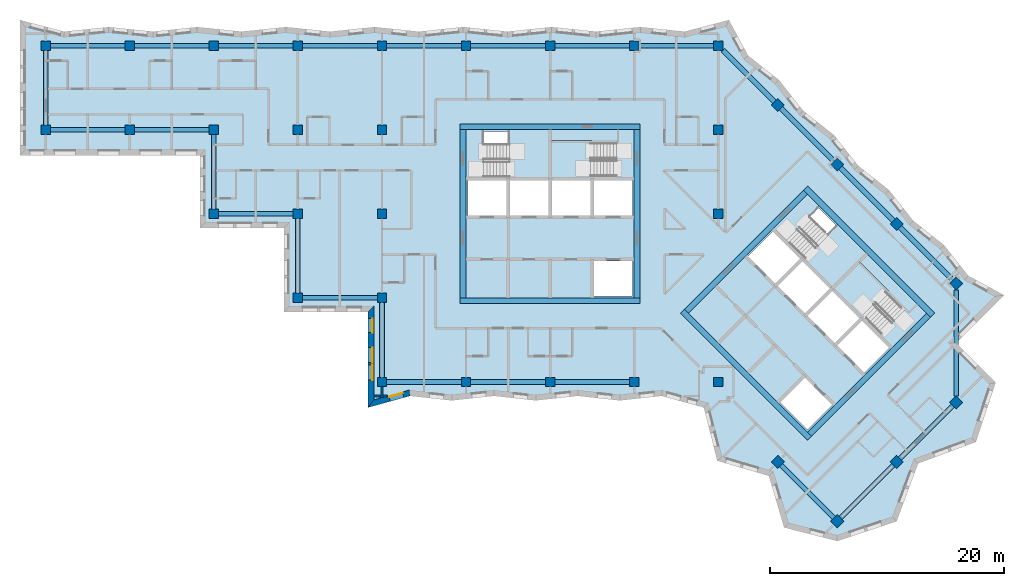
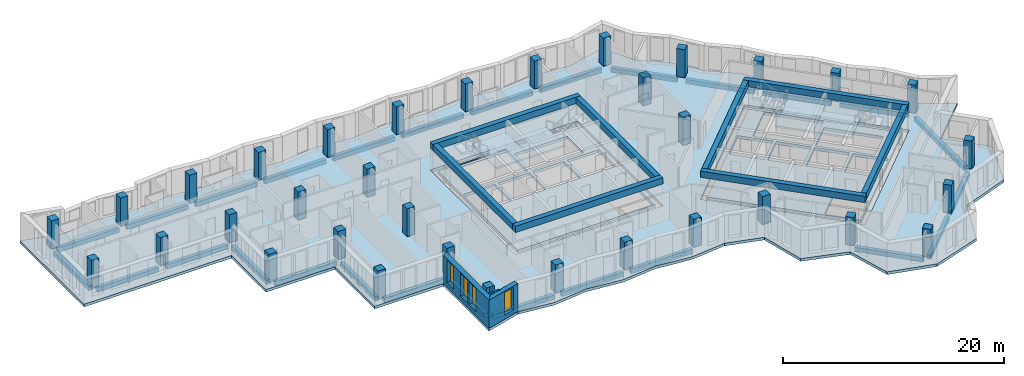
# One storey, part 1 of 12: 35 beams, 34 columns, 7 slabs, 4 walls, 4 windows, 20 openings, 4 elements without a shape of their own.
"""IFC4 building model written with IfcOpenShell, lengths in metres."""

from ifc_helpers import new_model, si_unit, direction, frame, frame_2d, origin, origin_2d, place, context, subcontext, project, spatial, polyline, rectangle, outline, extrude, material, layer, layer_set, material_profile, profile_set, type_object, element, fill, aggregate, save


model = new_model("IFC4")

# Units and contexts
model_context = context("Model", 3, precision=1e-05, world=origin(), true_north=direction((0.0, 1.0)))
body_context = subcontext(model_context, "Body", "Model", "MODEL_VIEW")
ifc_project = project(units=[si_unit("LENGTHUNIT", "METRE"), si_unit("AREAUNIT", "SQUARE_METRE"), si_unit("VOLUMEUNIT", "CUBIC_METRE"), si_unit("PLANEANGLEUNIT", "RADIAN"), si_unit("MASSUNIT", "GRAM", prefix="KILO")], contexts=[model_context])

# Site, building, storey
site_placement = place(None, origin())
site = spatial("IfcSite", under=ifc_project, at=site_placement, CompositionType="ELEMENT")
building_placement = place(site_placement, origin())
building = spatial("IfcBuilding", under=site, at=building_placement, Name="Windrow Commons", CompositionType="ELEMENT")
storey_placement = place(building_placement, frame((0.0, 0.0, 199.8)))
storey = spatial("IfcBuildingStorey", under=building, at=storey_placement, Name="L54", CompositionType="ELEMENT", Elevation=199.8)

# Columns
ifc_material_1 = material(Name="Concrete C50/60", Category="concrete")
ifc_material_profile_1 = material_profile(ifc_material_1, rectangle(XDim=0.8, YDim=0.8, at=origin_2d()))
ifc_profile_set_1 = profile_set([ifc_material_profile_1], Name="Concrete C50/60")
column_type = type_object("IfcColumnType", Name="RC COLUMN 800x800 C50/60", PredefinedType="COLUMN", material=ifc_profile_set_1)
for number, where, z_axis, x_axis, name in (
    (1, (21.6, 64.8, 0.0), (0.0, 0.0, 1.0), (1.0, 0.0, 0.0), "C-Z4-04I"),
    (2, (21.6, 72.0, 0.0), (0.0, 0.0, 1.0), (1.0, 0.0, 0.0), "C-Z4-04J"),
    (3, (28.8, 64.8, 0.0), (0.0, 0.0, 1.0), (1.0, 0.0, 0.0), "C-Z4-05I"),
    (4, (28.8, 72.0, 0.0), (0.0, 0.0, 1.0), (1.0, 0.0, 0.0), "C-Z4-05J"),
    (5, (36.0, 57.6, 0.0), (0.0, 0.0, 1.0), (1.0, 0.0, 0.0), "C-Z4-06H"),
    (6, (36.0, 64.8, 0.0), (0.0, 0.0, 1.0), (1.0, 0.0, 0.0), "C-Z4-06I"),
    (7, (36.0, 72.0, 0.0), (0.0, 0.0, 1.0), (1.0, 0.0, 0.0), "C-Z4-06J"),
    (8, (43.2, 50.4, 0.0), (0.0, 0.0, 1.0), (1.0, 0.0, 0.0), "C-Z4-07G"),
    (9, (43.2, 57.6, 0.0), (0.0, 0.0, 1.0), (1.0, 0.0, 0.0), "C-Z4-07H"),
    (10, (43.2, 64.8, 0.0), (0.0, 0.0, 1.0), (1.0, 0.0, 0.0), "C-Z4-07I"),
    (11, (43.2, 72.0, 0.0), (0.0, 0.0, 1.0), (1.0, 0.0, 0.0), "C-Z4-07J"),
    (12, (50.4, 43.2, 0.0), (0.0, 0.0, 1.0), (1.0, 0.0, 0.0), "C-Z4-08F"),
    (13, (50.4, 50.4, 0.0), (0.0, 0.0, 1.0), (1.0, 0.0, 0.0), "C-Z4-08G"),
    (14, (50.4, 57.6, 0.0), (0.0, 0.0, 1.0), (1.0, 0.0, 0.0), "C-Z4-08H"),
    (15, (50.4, 64.8, 0.0), (0.0, 0.0, 1.0), (1.0, 0.0, 0.0), "C-Z4-08I"),
    (16, (50.4, 72.0, 0.0), (0.0, 0.0, 1.0), (1.0, 0.0, 0.0), "C-Z4-08J"),
    (17, (57.6, 43.2, 0.0), (0.0, 0.0, 1.0), (1.0, 0.0, 0.0), "C-Z4-09F"),
    (18, (57.6, 72.0, 0.0), (0.0, 0.0, 1.0), (1.0, 0.0, 0.0), "C-Z4-09J"),
    (19, (64.8, 43.2, 0.0), (0.0, 0.0, 1.0), (1.0, 0.0, 0.0), "C-Z4-10F"),
    (20, (64.8, 72.0, 0.0), (0.0, 0.0, 1.0), (1.0, 0.0, 0.0), "C-Z4-10J"),
    (21, (72.0, 43.2, 0.0), (0.0, 0.0, 1.0), (1.0, 0.0, 0.0), "C-Z4-11F"),
    (22, (72.0, 72.0, 0.0), (0.0, 0.0, 1.0), (1.0, 0.0, 0.0), "C-Z4-11J"),
    (23, (79.2, 43.2, 0.0), (0.0, 0.0, 1.0), (1.0, 0.0, 0.0), "C-Z4-12F"),
    (24, (79.2, 57.6, 0.0), (0.0, 0.0, 1.0), (1.0, 0.0, 0.0), "C-Z4-12H"),
    (25, (79.2, 64.8, 0.0), (0.0, 0.0, 1.0), (1.0, 0.0, 0.0), "C-Z4-12I"),
    (26, (79.2, 72.0, 0.0), (0.0, 0.0, 1.0), (1.0, 0.0, 0.0), "C-Z4-12J"),
    (27, (84.2912, 66.9088, 0.0), (0.0, 0.0, 1.0), (0.7071067812, -0.7071067812, 0.0), "C-Z4-P2Q"),
    (28, (89.3823, 61.8177, 0.0), (0.0, 0.0, 1.0), (0.7071067812, -0.7071067812, 0.0), "C-Z4-P3Q"),
    (29, (94.4735, 56.7265, 0.0), (0.0, 0.0, 1.0), (0.7071067812, -0.7071067812, 0.0), "C-Z4-P4Q"),
    (30, (99.5647, 51.6353, 0.0), (0.0, 0.0, 1.0), (0.7071067812, -0.7071067812, 0.0), "C-Z4-P5Q"),
    (31, (84.2912, 36.3618, 0.0), (0.0, 0.0, 1.0), (0.7071067812, -0.7071067812, 0.0), "C-Z4-P5T"),
    (32, (99.5647, 41.453, 0.0), (0.0, 0.0, 1.0), (0.7071067812, -0.7071067812, 0.0), "C-Z4-P6R"),
    (33, (94.4735, 36.3618, 0.0), (0.0, 0.0, 1.0), (0.7071067812, -0.7071067812, 0.0), "C-Z4-P6S"),
    (34, (89.3823, 31.2706, 0.0), (0.0, 0.0, 1.0), (0.7071067812, -0.7071067812, 0.0), "C-Z4-P6T"),
):
    element("IfcColumn", number, at=place(storey_placement, frame(where, z_axis=z_axis, x_axis=x_axis)), inside=storey, type_object=column_type, Name=name, PredefinedType="COLUMN", context=body_context, shape_type="SweptSolid", body=[
        extrude(rectangle(XDim=0.8, YDim=0.8, at=origin_2d()), origin(), (0.0, 0.0, 1.0), 3.1),
    ])

# Beams
ifc_material_2 = material(Name="Concrete C40/50", Category="concrete")
ifc_material_profile_2 = material_profile(ifc_material_2, rectangle(XDim=0.5, YDim=0.7, at=origin_2d()))
ifc_profile_set_2 = profile_set([ifc_material_profile_2], Name="Concrete C40/50")
beam_type_1 = type_object("IfcBeamType", Name="RC COUPLING BEAM 500x700 C40/50", PredefinedType="LINTEL", material=ifc_profile_set_2)
for number, where, z_axis, x_axis, name in (
    (35, (57.1, 50.15, 2.75), (1.0, 0.0, 0.0), (0.0, 1.0, 0.0), "Core A coupling beam outer-S"),
    (36, (57.1, 65.05, 2.75), (1.0, 0.0, 0.0), (0.0, 1.0, 0.0), "Core A coupling beam outer-N"),
):
    element("IfcBeam", number, at=place(storey_placement, frame(where, z_axis=z_axis, x_axis=x_axis)), inside=storey, type_object=beam_type_1, Name=name, PredefinedType="LINTEL", context=body_context, shape_type="SweptSolid", body=[
        extrude(rectangle(XDim=0.5, YDim=0.7, at=origin_2d()), origin(), (0.0, 0.0, 1.0), 15.4),
    ])
for number, where, z_axis, x_axis, name in (
    (37, (57.35, 50.4, 2.75), (0.0, 1.0, 0.0), (-1.0, 0.0, 0.0), "Core A coupling beam outer-W"),
    (38, (72.25, 50.4, 2.75), (0.0, 1.0, 0.0), (-1.0, 0.0, 0.0), "Core A coupling beam outer-E"),
):
    element("IfcBeam", number, at=place(storey_placement, frame(where, z_axis=z_axis, x_axis=x_axis)), inside=storey, type_object=beam_type_1, Name=name, PredefinedType="LINTEL", context=body_context, shape_type="SweptSolid", body=[
        extrude(rectangle(XDim=0.5, YDim=0.7, at=origin_2d()), origin(), (0.0, 0.0, 1.0), 14.4),
    ])
for number, where, z_axis, x_axis, name in (
    (39, (76.1241, 49.2665, 2.75), (0.7071067812, -0.7071067812, 0.0), (0.7071067812, 0.7071067812, 0.0), "Core B coupling beam outer-S"),
    (40, (86.66, 59.8024, 2.75), (0.7071067812, -0.7071067812, 0.0), (0.7071067812, 0.7071067812, 0.0), "Core B coupling beam outer-N"),
):
    element("IfcBeam", number, at=place(storey_placement, frame(where, z_axis=z_axis, x_axis=x_axis)), inside=storey, type_object=beam_type_1, Name=name, PredefinedType="LINTEL", context=body_context, shape_type="SweptSolid", body=[
        extrude(rectangle(XDim=0.5, YDim=0.7, at=origin_2d()), origin(), (0.0, 0.0, 1.0), 15.3999),
    ])
for number, where, z_axis, x_axis, name in (
    (41, (76.4776, 49.2665, 2.75), (0.7071067812, 0.7071067812, 0.0), (-0.7071067812, 0.7071067812, 0.0), "Core B coupling beam outer-W"),
    (42, (87.0135, 38.7306, 2.75), (0.7071067812, 0.7071067812, 0.0), (-0.7071067812, 0.7071067812, 0.0), "Core B coupling beam outer-E"),
):
    element("IfcBeam", number, at=place(storey_placement, frame(where, z_axis=z_axis, x_axis=x_axis)), inside=storey, type_object=beam_type_1, Name=name, PredefinedType="LINTEL", context=body_context, shape_type="SweptSolid", body=[
        extrude(rectangle(XDim=0.5, YDim=0.7, at=origin_2d()), origin(), (0.0, 0.0, 1.0), 14.4001),
    ])
ifc_material_3 = material(Name="Concrete C40/50", Category="concrete")
ifc_material_profile_3 = material_profile(ifc_material_3, rectangle(XDim=0.4, YDim=0.5, at=origin_2d()))
ifc_profile_set_3 = profile_set([ifc_material_profile_3], Name="Concrete C40/50")
beam_type_2 = type_object("IfcBeamType", Name="RC EDGE BEAM 400x500 C40/50", PredefinedType="SPANDREL", material=ifc_profile_set_3)
for number, where, z_axis, x_axis, name in (
    (43, (57.2, 43.2, -0.55), (-1.0, 0.0, 0.0), (0.0, -1.0, 0.0), "Edge beam L54 001"),
    (44, (50.4, 43.6, -0.55), (0.0, 1.0, 0.0), (-1.0, 0.0, 0.0), "Edge beam L54 002"),
    (45, (50.0, 50.4, -0.55), (-1.0, 0.0, 0.0), (0.0, -1.0, 0.0), "Edge beam L54 003"),
    (46, (43.2, 50.8, -0.55), (0.0, 1.0, 0.0), (-1.0, 0.0, 0.0), "Edge beam L54 004"),
    (47, (42.8, 57.6, -0.55), (-1.0, 0.0, 0.0), (0.0, -1.0, 0.0), "Edge beam L54 005"),
    (48, (36.0, 58.0, -0.55), (0.0, 1.0, 0.0), (-1.0, 0.0, 0.0), "Edge beam L54 006"),
    (49, (35.6, 64.8, -0.55), (-1.0, 0.0, 0.0), (0.0, -1.0, 0.0), "Edge beam L54 007"),
    (50, (28.4, 64.8, -0.55), (-1.0, 0.0, 0.0), (0.0, -1.0, 0.0), "Edge beam L54 008"),
    (51, (21.6, 65.2, -0.55), (0.0, 1.0, 0.0), (-1.0, 0.0, 0.0), "Edge beam L54 009"),
    (52, (22.0, 72.0, -0.55), (1.0, 0.0, 0.0), (0.0, 1.0, 0.0), "Edge beam L54 010"),
    (53, (29.2, 72.0, -0.55), (1.0, 0.0, 0.0), (0.0, 1.0, 0.0), "Edge beam L54 011"),
    (54, (36.4, 72.0, -0.55), (1.0, 0.0, 0.0), (0.0, 1.0, 0.0), "Edge beam L54 012"),
    (55, (43.6, 72.0, -0.55), (1.0, 0.0, 0.0), (0.0, 1.0, 0.0), "Edge beam L54 013"),
    (56, (50.8, 72.0, -0.55), (1.0, 0.0, 0.0), (0.0, 1.0, 0.0), "Edge beam L54 014"),
    (57, (58.0, 72.0, -0.55), (1.0, 0.0, 0.0), (0.0, 1.0, 0.0), "Edge beam L54 015"),
    (58, (65.2, 72.0, -0.55), (1.0, 0.0, 0.0), (0.0, 1.0, 0.0), "Edge beam L54 016"),
    (59, (72.4, 72.0, -0.55), (1.0, 0.0, 0.0), (0.0, 1.0, 0.0), "Edge beam L54 017"),
):
    element("IfcBeam", number, at=place(storey_placement, frame(where, z_axis=z_axis, x_axis=x_axis)), inside=storey, type_object=beam_type_2, Name=name, PredefinedType="SPANDREL", context=body_context, shape_type="SweptSolid", body=[
        extrude(rectangle(XDim=0.4, YDim=0.5, at=origin_2d()), origin(), (0.0, 0.0, 1.0), 6.4),
    ])
beam_1_placement = place(storey_placement, frame((79.6, 71.6, -0.55), z_axis=(0.7071067812, -0.7071067812, 0.0), x_axis=(0.7071067812, 0.7071067812, 0.0)))
element("IfcBeam", 60, at=beam_1_placement, inside=storey, type_object=beam_type_2, Name="Edge beam L54 018", PredefinedType="SPANDREL", context=body_context, shape_type="SweptSolid", body=[
    extrude(rectangle(XDim=0.4, YDim=0.5, at=origin_2d()), origin(), (0.0, 0.0, 1.0), 6.2344),
])
beam_2_placement = place(storey_placement, frame((84.574, 66.626, -0.55), z_axis=(0.7071067812, -0.7071067812, 0.0), x_axis=(0.7071067812, 0.7071067812, 0.0)))
element("IfcBeam", 61, at=beam_2_placement, inside=storey, type_object=beam_type_2, Name="Edge beam L54 019", PredefinedType="SPANDREL", context=body_context, shape_type="SweptSolid", body=[
    extrude(rectangle(XDim=0.4, YDim=0.5, at=origin_2d()), origin(), (0.0, 0.0, 1.0), 6.4),
])
for number, where, z_axis, x_axis, name in (
    (62, (89.6651, 61.5349, -0.55), (0.7071067812, -0.7071067812, 0.0), (0.7071067812, 0.7071067812, 0.0), "Edge beam L54 020"),
    (63, (94.7563, 56.4437, -0.55), (0.7071067812, -0.7071067812, 0.0), (0.7071067812, 0.7071067812, 0.0), "Edge beam L54 021"),
):
    element("IfcBeam", number, at=place(storey_placement, frame(where, z_axis=z_axis, x_axis=x_axis)), inside=storey, type_object=beam_type_2, Name=name, PredefinedType="SPANDREL", context=body_context, shape_type="SweptSolid", body=[
        extrude(rectangle(XDim=0.4, YDim=0.5, at=origin_2d()), origin(), (0.0, 0.0, 1.0), 6.4002),
    ])
beam_3_placement = place(storey_placement, frame((99.5647, 51.0696, -0.55), z_axis=(0.0, -1.0, 0.0), x_axis=(1.0, 0.0, 0.0)))
element("IfcBeam", 64, at=beam_3_placement, inside=storey, type_object=beam_type_2, Name="Edge beam L54 022", PredefinedType="SPANDREL", context=body_context, shape_type="SweptSolid", body=[
    extrude(rectangle(XDim=0.4, YDim=0.5, at=origin_2d()), origin(), (0.0, 0.0, 1.0), 9.0509),
])
for number, where, z_axis, x_axis, name in (
    (65, (99.2819, 41.1702, -0.55), (-0.7071067812, -0.7071067812, 0.0), (0.7071067812, -0.7071067812, 0.0), "Edge beam L54 023"),
    (66, (94.1907, 36.079, -0.55), (-0.7071067812, -0.7071067812, 0.0), (0.7071067812, -0.7071067812, 0.0), "Edge beam L54 024"),
):
    element("IfcBeam", number, at=place(storey_placement, frame(where, z_axis=z_axis, x_axis=x_axis)), inside=storey, type_object=beam_type_2, Name=name, PredefinedType="SPANDREL", context=body_context, shape_type="SweptSolid", body=[
        extrude(rectangle(XDim=0.4, YDim=0.5, at=origin_2d()), origin(), (0.0, 0.0, 1.0), 6.4002),
    ])
beam_4_placement = place(storey_placement, frame((89.0995, 31.5534, -0.55), z_axis=(-0.7070989688, 0.7071145935, 0.0), x_axis=(-0.7071145935, -0.7070989688, 0.0)))
element("IfcBeam", 67, at=beam_4_placement, inside=storey, type_object=beam_type_2, Name="Edge beam L54 025", PredefinedType="SPANDREL", context=body_context, shape_type="SweptSolid", body=[
    extrude(rectangle(XDim=0.4, YDim=0.5, at=origin_2d()), origin(), (0.0, 0.0, 1.0), 6.4001),
])
for number, where, z_axis, x_axis, name in (
    (68, (71.6, 43.2, -0.55), (-1.0, 0.0, 0.0), (0.0, -1.0, 0.0), "Edge beam L54 026"),
    (69, (64.4, 43.2, -0.55), (-1.0, 0.0, 0.0), (0.0, -1.0, 0.0), "Edge beam L54 027"),
):
    element("IfcBeam", number, at=place(storey_placement, frame(where, z_axis=z_axis, x_axis=x_axis)), inside=storey, type_object=beam_type_2, Name=name, PredefinedType="SPANDREL", context=body_context, shape_type="SweptSolid", body=[
        extrude(rectangle(XDim=0.4, YDim=0.5, at=origin_2d()), origin(), (0.0, 0.0, 1.0), 6.4),
    ])

# Slab, openings
ifc_material_4 = material(Name="Concrete C40/50", Category="concrete")
ifc_layer_1 = layer(ifc_material_4, 0.3)
ifc_layer_set_1 = layer_set([ifc_layer_1], Name="CORE FLOOR SLAB 300 C40/50")
slab_type_1 = type_object("IfcSlabType", Name="CORE FLOOR SLAB 300 C40/50", PredefinedType="FLOOR", material=ifc_layer_set_1)
placement_1 = place(storey_placement, frame((0.0, 0.0, -0.3)))
slab_1 = element("IfcSlab", 70, at=placement_1, inside=storey, type_object=slab_type_1, Name="S-L54-core-A", PredefinedType="FLOOR", context=body_context, shape_type="SweptSolid", body=[
    extrude(outline(polyline([(57.6, 50.4), (72.0, 50.4), (72.0, 64.8), (57.6, 64.8), (57.6, 50.4)]), holes=[polyline([(68.55, 50.55), (71.85, 50.55), (71.85, 53.55), (68.55, 53.55), (68.55, 50.55)]), polyline([(57.75, 57.45), (61.05, 57.45), (61.05, 60.45), (57.75, 60.45), (57.75, 57.45)]), polyline([(61.35, 57.45), (64.65, 57.45), (64.65, 60.45), (61.35, 60.45), (61.35, 57.45)]), polyline([(64.95, 57.45), (68.25, 57.45), (68.25, 60.45), (64.95, 60.45), (64.95, 57.45)]), polyline([(68.55, 57.45), (71.85, 57.45), (71.85, 60.45), (68.55, 60.45), (68.55, 57.45)]), polyline([(59.1, 60.75), (64.65, 60.75), (64.65, 64.65), (59.1, 64.65), (59.1, 60.75)]), polyline([(64.95, 60.75), (70.5, 60.75), (70.5, 63.705), (64.95, 63.705), (64.95, 60.75)])]), origin(), (0.0, 0.0, 1.0), 0.3),
])
opening_1_placement = place(placement_1, origin())
element("IfcOpeningElement", 71, at=opening_1_placement, cuts=slab_1, Name="Slab opening S-L54-core-A 1", PredefinedType="OPENING", context=body_context, shape_type="SweptSolid", body=[
    extrude(outline(polyline([(68.555, 50.555), (68.555, 53.545), (71.845, 53.545), (71.845, 50.555), (68.555, 50.555)])), origin(), (0.0, 0.0, 1.0), 0.3),
])
opening_2_placement = place(placement_1, origin())
element("IfcOpeningElement", 72, at=opening_2_placement, cuts=slab_1, Name="Slab opening S-L54-core-A 2", PredefinedType="OPENING", context=body_context, shape_type="SweptSolid", body=[
    extrude(outline(polyline([(57.755, 57.455), (57.755, 60.445), (61.045, 60.445), (61.045, 57.455), (57.755, 57.455)])), origin(), (0.0, 0.0, 1.0), 0.3),
])
opening_3_placement = place(placement_1, origin())
element("IfcOpeningElement", 73, at=opening_3_placement, cuts=slab_1, Name="Slab opening S-L54-core-A 3", PredefinedType="OPENING", context=body_context, shape_type="SweptSolid", body=[
    extrude(outline(polyline([(61.355, 57.455), (61.355, 60.445), (64.645, 60.445), (64.645, 57.455), (61.355, 57.455)])), origin(), (0.0, 0.0, 1.0), 0.3),
])
opening_4_placement = place(placement_1, origin())
element("IfcOpeningElement", 74, at=opening_4_placement, cuts=slab_1, Name="Slab opening S-L54-core-A 4", PredefinedType="OPENING", context=body_context, shape_type="SweptSolid", body=[
    extrude(outline(polyline([(64.955, 57.455), (64.955, 60.445), (68.245, 60.445), (68.245, 57.455), (64.955, 57.455)])), origin(), (0.0, 0.0, 1.0), 0.3),
])
opening_5_placement = place(placement_1, origin())
element("IfcOpeningElement", 75, at=opening_5_placement, cuts=slab_1, Name="Slab opening S-L54-core-A 5", PredefinedType="OPENING", context=body_context, shape_type="SweptSolid", body=[
    extrude(outline(polyline([(68.555, 57.455), (68.555, 60.445), (71.845, 60.445), (71.845, 57.455), (68.555, 57.455)])), origin(), (0.0, 0.0, 1.0), 0.3),
])
opening_6_placement = place(placement_1, origin())
element("IfcOpeningElement", 76, at=opening_6_placement, cuts=slab_1, Name="Slab opening S-L54-core-A 6", PredefinedType="OPENING", context=body_context, shape_type="SweptSolid", body=[
    extrude(outline(polyline([(59.105, 60.755), (59.105, 64.645), (64.645, 64.645), (64.645, 60.755), (59.105, 60.755)])), origin(), (0.0, 0.0, 1.0), 0.3),
])
opening_7_placement = place(placement_1, origin())
element("IfcOpeningElement", 77, at=opening_7_placement, cuts=slab_1, Name="Slab opening S-L54-core-A 7", PredefinedType="OPENING", context=body_context, shape_type="SweptSolid", body=[
    extrude(outline(polyline([(64.955, 60.755), (64.955, 63.7), (70.495, 63.7), (70.495, 60.755), (64.955, 60.755)])), origin(), (0.0, 0.0, 1.0), 0.3),
])

slab_2 = element("IfcSlab", 78, at=placement_1, inside=storey, type_object=slab_type_1, Name="S-L54-core-B", PredefinedType="FLOOR", context=body_context, shape_type="SweptSolid", body=[
    extrude(outline(polyline([(76.6544, 49.0897), (86.8368, 38.9074), (97.0191, 49.0897), (86.8368, 59.2721), (76.6544, 49.0897)]), holes=[polyline([(84.5033, 41.453), (86.8368, 39.1195), (88.9581, 41.2409), (86.6246, 43.5743), (84.5033, 41.453)]), polyline([(81.7456, 53.9688), (84.079, 51.6353), (86.2004, 53.7566), (83.8669, 56.0901), (81.7456, 53.9688)]), polyline([(84.2912, 51.4232), (86.6246, 49.0897), (88.7459, 51.2111), (86.4125, 53.5445), (84.2912, 51.4232)]), polyline([(86.8368, 48.8776), (89.1702, 46.5442), (91.2915, 48.6655), (88.9581, 50.9989), (86.8368, 48.8776)]), polyline([(89.3823, 46.332), (91.7158, 43.9986), (93.8371, 46.1199), (91.5037, 48.4533), (89.3823, 46.332)]), polyline([(85.0336, 55.3476), (88.9581, 51.4232), (91.7158, 54.1809), (87.7913, 58.1054), (85.0336, 55.3476)]), polyline([(89.1702, 51.2111), (93.0946, 47.2866), (95.1841, 49.3761), (91.2597, 53.3006), (89.1702, 51.2111)])]), origin(), (0.0, 0.0, 1.0), 0.3),
])
opening_8_placement = place(placement_1, origin())
element("IfcOpeningElement", 79, at=opening_8_placement, cuts=slab_2, Name="Slab opening S-L54-core-B 1", PredefinedType="OPENING", context=body_context, shape_type="SweptSolid", body=[
    extrude(outline(polyline([(84.5104, 41.453), (86.6246, 43.5672), (88.951, 41.2409), (86.8368, 39.1266), (84.5104, 41.453)])), origin(), (0.0, 0.0, 1.0), 0.3),
])
opening_9_placement = place(placement_1, origin())
element("IfcOpeningElement", 80, at=opening_9_placement, cuts=slab_2, Name="Slab opening S-L54-core-B 2", PredefinedType="OPENING", context=body_context, shape_type="SweptSolid", body=[
    extrude(outline(polyline([(81.7527, 53.9688), (83.8669, 56.083), (86.1933, 53.7566), (84.079, 51.6424), (81.7527, 53.9688)])), origin(), (0.0, 0.0, 1.0), 0.3),
])
opening_10_placement = place(placement_1, origin())
element("IfcOpeningElement", 81, at=opening_10_placement, cuts=slab_2, Name="Slab opening S-L54-core-B 3", PredefinedType="OPENING", context=body_context, shape_type="SweptSolid", body=[
    extrude(outline(polyline([(84.2983, 51.4232), (86.4125, 53.5374), (88.7388, 51.2111), (86.6246, 49.0968), (84.2983, 51.4232)])), origin(), (0.0, 0.0, 1.0), 0.3),
])
opening_11_placement = place(placement_1, origin())
element("IfcOpeningElement", 82, at=opening_11_placement, cuts=slab_2, Name="Slab opening S-L54-core-B 4", PredefinedType="OPENING", context=body_context, shape_type="SweptSolid", body=[
    extrude(outline(polyline([(86.8439, 48.8776), (88.9581, 50.9918), (91.2844, 48.6655), (89.1702, 46.5513), (86.8439, 48.8776)])), origin(), (0.0, 0.0, 1.0), 0.3),
])
opening_12_placement = place(placement_1, origin())
element("IfcOpeningElement", 83, at=opening_12_placement, cuts=slab_2, Name="Slab opening S-L54-core-B 5", PredefinedType="OPENING", context=body_context, shape_type="SweptSolid", body=[
    extrude(outline(polyline([(89.3894, 46.332), (91.5037, 48.4462), (93.83, 46.1199), (91.7158, 44.0057), (89.3894, 46.332)])), origin(), (0.0, 0.0, 1.0), 0.3),
])
opening_13_placement = place(placement_1, origin())
element("IfcOpeningElement", 84, at=opening_13_placement, cuts=slab_2, Name="Slab opening S-L54-core-B 6", PredefinedType="OPENING", context=body_context, shape_type="SweptSolid", body=[
    extrude(outline(polyline([(85.0407, 55.3476), (87.7913, 58.0983), (91.7087, 54.1809), (88.9581, 51.4303), (85.0407, 55.3476)])), origin(), (0.0, 0.0, 1.0), 0.3),
])
opening_14_placement = place(placement_1, origin())
element("IfcOpeningElement", 85, at=opening_14_placement, cuts=slab_2, Name="Slab opening S-L54-core-B 7", PredefinedType="OPENING", context=body_context, shape_type="SweptSolid", body=[
    extrude(outline(polyline([(89.1773, 51.2111), (91.2597, 53.2935), (95.177, 49.3761), (93.0946, 47.2937), (89.1773, 51.2111)])), origin(), (0.0, 0.0, 1.0), 0.3),
])

# Stair, slab
ifc_material_5 = material(Name="Concrete C40/50", Category="concrete")
stair_type = type_object("IfcStairType", Name="Core stair", PredefinedType="HALF_TURN_STAIR", material=ifc_material_5)
placement_2 = place(storey_placement, origin())
stair_1 = element("IfcStair", 86, at=placement_2, inside=storey, type_object=stair_type, Name="L54 Exit stair A1 core A", PredefinedType="HALF_TURN_STAIR")
ifc_material_6 = material(Name="Concrete C40/50", Category="concrete")
ifc_layer_2 = layer(ifc_material_6, 0.2)
ifc_layer_set_2 = layer_set([ifc_layer_2], Name="Core stair landing")
slab_type_2 = type_object("IfcSlabType", Name="Core stair landing", PredefinedType="LANDING", material=ifc_layer_set_2)
placement_3 = place(storey_placement, frame((0.0, 0.0, 1.5)))
slab_3 = element("IfcSlab", 87, at=placement_3, type_object=slab_type_2, Name="ST-A1 landing 1", PredefinedType="LANDING", context=body_context, shape_type="SweptSolid", body=[
    extrude(outline(polyline([(61.22, 60.5), (64.8, 60.5), (64.8, 64.9), (61.22, 64.9), (61.22, 60.5)])), origin(), (0.0, 0.0, 1.0), 0.2),
])
aggregate(stair_1, [slab_3])

stair_2 = element("IfcStair", 88, at=placement_2, inside=storey, type_object=stair_type, Name="L54 Exit stair A2 core A", PredefinedType="HALF_TURN_STAIR")
slab_4 = element("IfcSlab", 89, at=placement_3, type_object=slab_type_2, Name="ST-A2 landing 1", PredefinedType="LANDING", context=body_context, shape_type="SweptSolid", body=[
    extrude(outline(polyline([(64.8, 60.5), (68.38, 60.5), (68.38, 63.855), (64.8, 63.855), (64.8, 60.5)])), origin(), (0.0, 0.0, 1.0), 0.2),
])
aggregate(stair_2, [slab_4])

stair_3 = element("IfcStair", 90, at=placement_2, inside=storey, type_object=stair_type, Name="L54 Exit stair B1 core B", PredefinedType="HALF_TURN_STAIR")
slab_5 = element("IfcSlab", 91, at=placement_3, type_object=slab_type_2, Name="ST-B1 landing 1", PredefinedType="LANDING", context=body_context, shape_type="SweptSolid", body=[
    extrude(outline(polyline([(86.3559, 53.6718), (88.8874, 51.1403), (91.9986, 54.2516), (89.4672, 56.7831), (86.3559, 53.6718)])), origin(), (0.0, 0.0, 1.0), 0.2),
])
aggregate(stair_3, [slab_5])

stair_4 = element("IfcStair", 92, at=placement_2, inside=storey, type_object=stair_type, Name="L54 Exit stair B2 core B", PredefinedType="HALF_TURN_STAIR")
slab_6 = element("IfcSlab", 93, at=placement_3, type_object=slab_type_2, Name="ST-B2 landing 1", PredefinedType="LANDING", context=body_context, shape_type="SweptSolid", body=[
    extrude(outline(polyline([(88.8874, 51.1403), (91.4188, 48.6089), (93.7911, 50.9812), (91.2597, 53.5127), (88.8874, 51.1403)])), origin(), (0.0, 0.0, 1.0), 0.2),
])
aggregate(stair_4, [slab_6])

# Slab, openings
ifc_material_7 = material(Name="Concrete C40/50", Category="concrete")
ifc_layer_3 = layer(ifc_material_7, 0.3)
ifc_layer_set_3 = layer_set([ifc_layer_3], Name="FLOOR SLAB 300 C40/50")
slab_type_3 = type_object("IfcSlabType", Name="FLOOR SLAB 300 C40/50", PredefinedType="FLOOR", material=ifc_layer_set_3)
slab_7 = element("IfcSlab", 94, at=placement_1, inside=storey, type_object=slab_type_3, Name="S-L54-floor", PredefinedType="FLOOR", context=body_context, shape_type="SweptSolid", body=[
    extrude(outline(polyline([(84.8264, 30.7354), (89.3823, 29.5736), (94.4735, 31.2706), (96.312, 36.2204), (101.2617, 38.0588), (102.9588, 43.15), (99.5647, 46.5442), (103.6595, 50.639), (100.6036, 52.2935), (98.5249, 54.9252), (95.8932, 57.0039), (93.8145, 59.6356), (91.1828, 61.7143), (89.1041, 64.346), (86.4724, 66.4247), (84.3937, 69.0563), (81.762, 71.1351), (80.1076, 74.191), (76.3139, 73.2), (72.5203, 73.591), (68.7266, 73.2), (64.9329, 73.591), (61.1393, 73.2), (57.3456, 73.591), (53.552, 73.2), (49.7583, 73.591), (45.9646, 73.2), (42.171, 73.591), (38.3773, 73.2), (34.5836, 73.591), (30.79, 73.2), (26.9963, 73.591), (23.2027, 73.2), (19.409, 74.191), (19.409, 62.609), (34.8, 62.609), (34.8, 56.4), (42.0, 56.4), (42.0, 49.2), (49.2, 49.2), (49.2, 41.009), (52.7934, 42.0), (56.3867, 41.609), (59.9801, 42.0), (63.5735, 41.609), (67.1668, 42.0), (70.7602, 41.609), (74.3535, 42.0), (77.9469, 41.009), (79.1087, 36.4531), (83.5232, 35.1499), (84.8264, 30.7354)]), holes=[polyline([(75.9473, 49.0897), (86.8368, 59.9792), (97.7262, 49.0897), (86.8368, 38.2003), (75.9473, 49.0897)]), polyline([(57.1, 49.9), (57.1, 65.3), (72.5, 65.3), (72.5, 49.9), (57.1, 49.9)])]), origin(), (0.0, 0.0, 1.0), 0.3),
])
opening_15_placement = place(placement_1, origin())
element("IfcOpeningElement", 95, at=opening_15_placement, cuts=slab_7, Name="Slab opening S-L54-floor 1", PredefinedType="OPENING", context=body_context, shape_type="SweptSolid", body=[
    extrude(outline(polyline([(75.9544, 49.0897), (86.8368, 59.9721), (97.7191, 49.0897), (86.8368, 38.2074), (75.9544, 49.0897)])), origin(), (0.0, 0.0, 1.0), 0.3),
])
opening_16_placement = place(placement_1, origin())
element("IfcOpeningElement", 96, at=opening_16_placement, cuts=slab_7, Name="Slab opening S-L54-floor 2", PredefinedType="OPENING", context=body_context, shape_type="SweptSolid", body=[
    extrude(outline(polyline([(57.105, 49.905), (57.105, 65.295), (72.495, 65.295), (72.495, 49.905), (57.105, 49.905)])), origin(), (0.0, 0.0, 1.0), 0.3),
])

# Wall, openings, windows
ifc_material_8 = material(Name="Brick masonry, red clay brick", Category="masonry")
ifc_layer_4 = layer(ifc_material_8, 0.5)
ifc_layer_set_4 = layer_set([ifc_layer_4], Name="Brick facade wall 500")
wall_type_1 = type_object("IfcWallType", Name="Brick facade wall 500", PredefinedType="SOLIDWALL", material=ifc_layer_set_4)
wall_1_placement = place(storey_placement, frame((49.45, 49.45, 0.0), z_axis=(0.0, 0.0, 1.0), x_axis=(0.0, -1.0, 0.0)))
wall_1 = element("IfcWall", 97, at=wall_1_placement, inside=storey, type_object=wall_type_1, Name="Brick facade wall L54 39", PredefinedType="SOLIDWALL", context=body_context, shape_type="SweptSolid", body=[
    extrude(outline(polyline([(0.25, -0.25), (8.441, -0.25), (7.7844, 0.25), (-0.25, 0.25), (0.25, -0.25)])), origin(), (0.0, 0.0, 1.0), 3.1),
])
opening_17_placement = place(wall_1_placement, frame((3.3, 0.0, 0.45)))
opening_17 = element("IfcOpeningElement", 98, at=opening_17_placement, cuts=wall_1, Name="Opening W1Q", PredefinedType="OPENING", context=body_context, shape_type="SweptSolid", body=[
    extrude(rectangle(XDim=1.3, YDim=2.5, at=frame_2d((0.65, 1.25))), frame((0.0, 0.26, 0.0), z_axis=(0.0, -1.0, 0.0), x_axis=(1.0, 0.0, 0.0)), (0.0, 0.0, 1.0), 0.52),
])
opening_18_placement = place(wall_1_placement, frame((4.8, 0.0, 0.45)))
opening_18 = element("IfcOpeningElement", 99, at=opening_18_placement, cuts=wall_1, Name="Opening W1Q", PredefinedType="OPENING", context=body_context, shape_type="SweptSolid", body=[
    extrude(rectangle(XDim=1.3, YDim=2.5, at=frame_2d((0.65, 1.25))), frame((0.0, 0.26, 0.0), z_axis=(0.0, -1.0, 0.0), x_axis=(1.0, 0.0, 0.0)), (0.0, 0.0, 1.0), 0.52),
])
opening_19_placement = place(wall_1_placement, frame((0.825, 0.0, 0.45)))
opening_19 = element("IfcOpeningElement", 100, at=opening_19_placement, cuts=wall_1, Name="Opening W7E", PredefinedType="OPENING", context=body_context, shape_type="SweptSolid", body=[
    extrude(rectangle(XDim=1.2, YDim=2.5, at=frame_2d((0.6, 1.25))), frame((0.0, 0.26, 0.0), z_axis=(0.0, -1.0, 0.0), x_axis=(1.0, 0.0, 0.0)), (0.0, 0.0, 1.0), 0.52),
])
ifc_material_9 = material(Name="Clear float glass in anodised aluminium frame", Category="aluminium")
window_type_1 = type_object("IfcWindowType", Name="Window W1Q pair 1300x2500", PartitioningType="SINGLE_PANEL", PredefinedType="WINDOW", material=ifc_material_9)
window_1_placement = place(opening_17_placement, origin())
window_1 = element("IfcWindow", 101, at=window_1_placement, inside=storey, type_object=window_type_1, Name="Window L54 39.1A", OverallHeight=2.5, OverallWidth=1.3, PartitioningType="SINGLE_PANEL", PredefinedType="WINDOW", context=body_context, shape_type="SweptSolid", body=[
    extrude(rectangle(XDim=1.3, YDim=2.5, at=frame_2d((0.65, 1.25))), frame((0.0, 0.18, 0.0), z_axis=(0.0, -1.0, 0.0), x_axis=(1.0, 0.0, 0.0)), (0.0, 0.0, 1.0), 0.06),
])
fill(opening_17, window_1)
window_2_placement = place(opening_18_placement, origin())
window_2 = element("IfcWindow", 102, at=window_2_placement, inside=storey, type_object=window_type_1, Name="Window L54 39.1B", OverallHeight=2.5, OverallWidth=1.3, PartitioningType="SINGLE_PANEL", PredefinedType="WINDOW", context=body_context, shape_type="SweptSolid", body=[
    extrude(rectangle(XDim=1.3, YDim=2.5, at=frame_2d((0.65, 1.25))), frame((0.0, 0.18, 0.0), z_axis=(0.0, -1.0, 0.0), x_axis=(1.0, 0.0, 0.0)), (0.0, 0.0, 1.0), 0.06),
])
fill(opening_18, window_2)
ifc_material_10 = material(Name="Clear float glass in anodised aluminium frame", Category="aluminium")
window_type_2 = type_object("IfcWindowType", Name="Window W7 notch 1200x2500", PartitioningType="SINGLE_PANEL", PredefinedType="WINDOW", material=ifc_material_10)
window_3_placement = place(opening_19_placement, origin())
window_3 = element("IfcWindow", 103, at=window_3_placement, inside=storey, type_object=window_type_2, Name="Window L54 39.2", OverallHeight=2.5, OverallWidth=1.2, PartitioningType="SINGLE_PANEL", PredefinedType="WINDOW", context=body_context, shape_type="SweptSolid", body=[
    extrude(rectangle(XDim=1.2, YDim=2.5, at=frame_2d((0.6, 1.25))), frame((0.0, 0.18, 0.0), z_axis=(0.0, -1.0, 0.0), x_axis=(1.0, 0.0, 0.0)), (0.0, 0.0, 1.0), 0.06),
])
fill(opening_19, window_3)

# Wall, opening, window
wall_2_placement = place(storey_placement, frame((49.45, 41.3373, 0.0), z_axis=(0.0, 0.0, 1.0), x_axis=(0.964012106, 0.2658583448, 0.0)))
wall_2 = element("IfcWall", 104, at=wall_2_placement, inside=storey, type_object=wall_type_1, Name="Brick facade wall L54 40", PredefinedType="SOLIDWALL", context=body_context, shape_type="SweptSolid", body=[
    extrude(outline(polyline([(-0.3283, -0.25), (3.3992, -0.25), (3.4947, 0.25), (0.3283, 0.25), (-0.3283, -0.25)])), origin(), (0.0, 0.0, 1.0), 3.1),
])
opening_20_placement = place(wall_2_placement, frame((1.6662, 0.0, 0.45)))
opening_20 = element("IfcOpeningElement", 105, at=opening_20_placement, cuts=wall_2, Name="Opening W7E", PredefinedType="OPENING", context=body_context, shape_type="SweptSolid", body=[
    extrude(rectangle(XDim=1.2, YDim=2.5, at=frame_2d((0.6, 1.25))), frame((0.0, 0.26, 0.0), z_axis=(0.0, -1.0, 0.0), x_axis=(1.0, 0.0, 0.0)), (0.0, 0.0, 1.0), 0.52),
])
window_4_placement = place(opening_20_placement, origin())
window_4 = element("IfcWindow", 106, at=window_4_placement, inside=storey, type_object=window_type_2, Name="Window L54 40.1", OverallHeight=2.5, OverallWidth=1.2, PartitioningType="SINGLE_PANEL", PredefinedType="WINDOW", context=body_context, shape_type="SweptSolid", body=[
    extrude(rectangle(XDim=1.2, YDim=2.5, at=frame_2d((0.6, 1.25))), frame((0.0, 0.18, 0.0), z_axis=(0.0, -1.0, 0.0), x_axis=(1.0, 0.0, 0.0)), (0.0, 0.0, 1.0), 0.06),
])
fill(opening_20, window_4)

# Walls
ifc_material_11 = material(Name="Blockwork partition", Category="masonry")
ifc_layer_5 = layer(ifc_material_11, 0.2)
ifc_layer_set_5 = layer_set([ifc_layer_5], Name="IW-PARTY-200")
wall_type_2 = type_object("IfcWallType", Name="IW-PARTY-200", PredefinedType="PARTITIONING", material=ifc_layer_set_5)
wall_3_placement = place(storey_placement, frame((49.7, 42.0, 0.0), z_axis=(0.0, 0.0, 1.0), x_axis=(1.0, 0.0, 0.0)))
element("IfcWall", 107, at=wall_3_placement, inside=storey, type_object=wall_type_2, Name="W-L54-W128", PredefinedType="PARTITIONING", context=body_context, shape_type="SweptSolid", body=[
    extrude(rectangle(XDim=1.1627, YDim=0.2, at=frame_2d((0.5814, 0.0))), origin(), (0.0, 0.0, 1.0), 3.1),
])
wall_4_placement = place(storey_placement, frame((50.4, 41.8586, 0.0), z_axis=(0.0, 0.0, 1.0), x_axis=(0.0, 1.0, 0.0)))
element("IfcWall", 108, at=wall_4_placement, inside=storey, type_object=wall_type_2, Name="W-L54-W142", PredefinedType="PARTITIONING", context=body_context, shape_type="SweptSolid", body=[
    extrude(rectangle(XDim=0.9414, YDim=0.2, at=frame_2d((0.4707, 0.0))), origin(), (0.0, 0.0, 1.0), 3.1),
])

save(model, "model.ifc")
